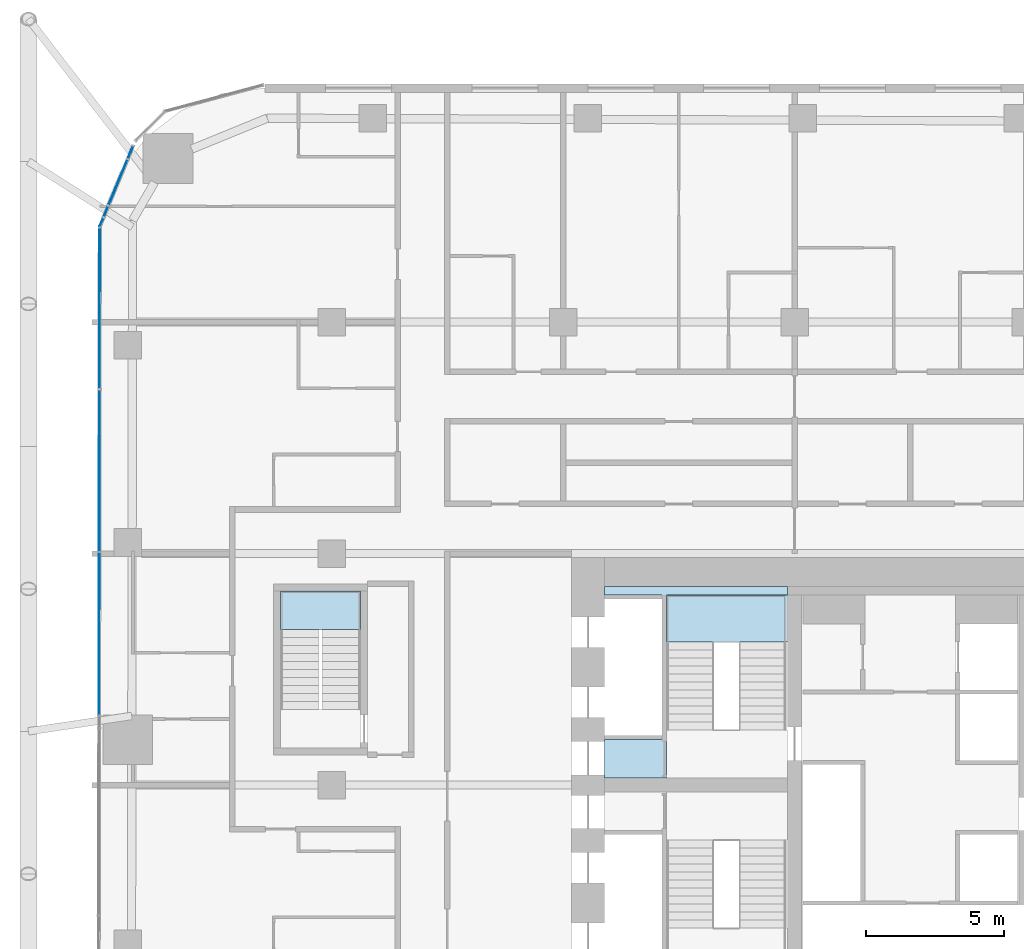
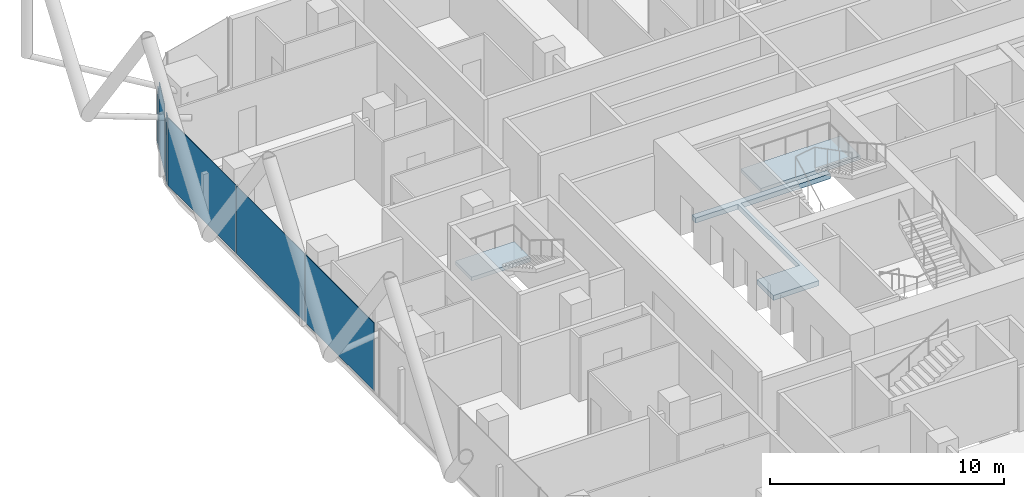
# One storey, part 25 of 38: 7 plates, 3 slabs, 7 elements without a shape of their own.
"""IFC4 building model written with IfcOpenShell, lengths in metres."""

from ifc_helpers import new_model, si_unit, direction, frame, origin, origin_2d, place, context, subcontext, project, spatial, polyline, rectangle, outline, extrude, material, layer, layer_set, type_object, element, aggregate, save


model = new_model("IFC4")

# Units and contexts
model_context = context("Model", 3, precision=1e-05, world=origin(), true_north=direction((0.0, 1.0)))
body_context = subcontext(model_context, "Body", "Model", "MODEL_VIEW")
ifc_project = project(units=[si_unit("LENGTHUNIT", "METRE"), si_unit("AREAUNIT", "SQUARE_METRE"), si_unit("VOLUMEUNIT", "CUBIC_METRE"), si_unit("PLANEANGLEUNIT", "RADIAN"), si_unit("MASSUNIT", "GRAM", prefix="KILO")], contexts=[model_context])

# Site, building, storey
site_placement = place(None, origin())
site = spatial("IfcSite", under=ifc_project, at=site_placement, CompositionType="ELEMENT")
building_placement = place(site_placement, origin())
building = spatial("IfcBuilding", under=site, at=building_placement, Name="Marenta Gate Hotel Tower", CompositionType="ELEMENT")
storey_placement = place(building_placement, frame((0.0, 0.0, 68.89990234375)))
storey = spatial("IfcBuildingStorey", under=building, at=storey_placement, Name="L15", CompositionType="ELEMENT", Elevation=68.89990234375)

# Slab
ifc_material_1 = material(Name="Concrete C40", Category="concrete")
ifc_layer_1 = layer(ifc_material_1, 0.260009765625)
ifc_layer_set_1 = layer_set([ifc_layer_1], Name="Concrete C40")
slab_type_1 = type_object("IfcSlabType", Name="Core floor slab 260", PredefinedType="FLOOR", material=ifc_layer_set_1)
slab_1_placement = place(storey_placement, frame((0.0, 0.0, -0.260009765625)))
element("IfcSlab", 1, at=slab_1_placement, inside=storey, type_object=slab_type_1, Name="L15-CF-6", PredefinedType="FLOOR", context=body_context, shape_type="SweptSolid", body=[
    extrude(outline(polyline([(-4.449951171875, 15.300048828125), (-8.85009765625, 15.300048828125), (-8.85009765625, 10.39990234375), (-8.85009765625, 8.699951171875), (-8.85009765625, 8.64990234375), (-11.10009765625, 8.64990234375), (-11.10009765625, 10.050048828125), (-9.0, 10.050048828125), (-9.0, 10.199951171875), (-9.0, 12.60009765625), (-9.0, 12.75), (-9.0, 15.14990234375), (-9.0, 15.300048828125), (-11.10009765625, 15.300048828125), (-11.10009765625, 15.60009765625), (-4.449951171875, 15.60009765625), (-4.449951171875, 15.300048828125)])), origin(), (0.0, 0.0, 1.0), 0.260009765625),
])

# Stair, slab
ifc_material_2 = material(Name="Concrete C40", Category="concrete")
stair_type_1 = type_object("IfcStairType", Name="Core exit stair 1700 wide", PredefinedType="HALF_TURN_STAIR", material=ifc_material_2)
stair_1_placement = place(storey_placement, origin())
stair_1 = element("IfcStair", 2, at=stair_1_placement, inside=storey, type_object=stair_type_1, Name="Exit stair 2", PredefinedType="HALF_TURN_STAIR")
ifc_material_3 = material(Name="Concrete C40", Category="concrete")
ifc_layer_2 = layer(ifc_material_3, 0.199951171875)
ifc_layer_set_2 = layer_set([ifc_layer_2], Name="Concrete C40")
slab_type_2 = type_object("IfcSlabType", Name="Core stair landing 200", PredefinedType="LANDING", material=ifc_layer_set_2)
slab_2_placement = place(storey_placement, frame((0.0, 0.0, 1.60009765625)))
slab_2 = element("IfcSlab", 3, at=slab_2_placement, type_object=slab_type_2, Name="SL-200 ST2 landing 1", PredefinedType="LANDING", context=body_context, shape_type="SweptSolid", body=[
    extrude(outline(polyline([(-8.85009765625, 13.590087890625), (-3.949951171875, 13.590087890625), (-3.949951171875, 15.300048828125), (-8.85009765625, 15.300048828125), (-8.85009765625, 13.590087890625)])), origin(), (0.0, 0.0, 1.0), 0.199951171875),
])
aggregate(stair_1, [slab_2])

# Curtain wall, plate
ifc_material_4 = material(Name="Tinted insulated glass in bronze anodised frame", Category="glass")
ifc_layer_3 = layer(ifc_material_4, 0.1201171875)
ifc_layer_set_3 = layer_set([ifc_layer_3], Name="Tinted insulated glass in bronze anodised frame")
curtain_wall_type = type_object("IfcCurtainWallType", Name="Tower unitised curtain wall CW1", PredefinedType="NOTDEFINED", material=ifc_layer_set_3)
curtain_wall_1_placement = place(storey_placement, origin())
curtain_wall_1 = element("IfcCurtainWall", 4, at=curtain_wall_1_placement, inside=storey, type_object=curtain_wall_type, Name="CW1 run G02", PredefinedType="NOTDEFINED")
ifc_material_5 = material(Name="Tinted insulated glass", Category="glass")
ifc_layer_4 = layer(ifc_material_5, 0.028076171875)
ifc_layer_set_4 = layer_set([ifc_layer_4], Name="Tinted insulated glass")
plate_type = type_object("IfcPlateType", Name="Glass panel CW1 28 mm tinted insulated unit", PredefinedType="CURTAIN_PANEL", material=ifc_layer_set_4)
plate_1_placement = place(storey_placement, frame((-28.29736328125, 31.35791015625, 0.060302734375), z_axis=(0.0, 0.0, 1.0), x_axis=(-0.382684306245, -0.923879170538, 0.0)))
plate_1 = element("IfcPlate", 5, at=plate_1_placement, type_object=plate_type, Name="CW1 panel 1.1", PredefinedType="CURTAIN_PANEL", context=body_context, shape_type="SweptSolid", body=[
    extrude(rectangle(XDim=0.46240234375, YDim=0.028076171875, at=origin_2d()), origin(), (0.0, 0.0, 1.0), 2.9404296875),
])
aggregate(curtain_wall_1, [plate_1])

curtain_wall_2_placement = place(storey_placement, origin())
curtain_wall_2 = element("IfcCurtainWall", 6, at=curtain_wall_2_placement, inside=storey, type_object=curtain_wall_type, Name="CW1 run G03", PredefinedType="NOTDEFINED")
plate_2_placement = place(storey_placement, frame((-28.7470703125, 30.272216796875, 0.06005859375), z_axis=(0.0, 0.0, 1.0), x_axis=(-0.382683619138, -0.923879455147, 0.0)))
plate_2 = element("IfcPlate", 7, at=plate_2_placement, type_object=plate_type, Name="CW1 panel 1.1", PredefinedType="CURTAIN_PANEL", context=body_context, shape_type="SweptSolid", body=[
    extrude(rectangle(XDim=1.767578125, YDim=0.028076171875, at=origin_2d()), origin(), (0.0, 0.0, 1.0), 3.5400390625),
])
aggregate(curtain_wall_2, [plate_2])

curtain_wall_3_placement = place(storey_placement, origin())
curtain_wall_3 = element("IfcCurtainWall", 8, at=curtain_wall_3_placement, inside=storey, type_object=curtain_wall_type, Name="CW1 run G04", PredefinedType="NOTDEFINED")
plate_3_placement = place(storey_placement, frame((-29.184814453125, 29.215576171875, 0.060302734375), z_axis=(0.0, 0.0, 1.0), x_axis=(-0.382838458625, -0.923815303293, 0.0)))
plate_3 = element("IfcPlate", 9, at=plate_3_placement, type_object=plate_type, Name="CW1 panel 1.1", PredefinedType="CURTAIN_PANEL", context=body_context, shape_type="SweptSolid", body=[
    extrude(rectangle(XDim=0.399658203125, YDim=0.028076171875, at=origin_2d()), origin(), (0.0, 0.0, 1.0), 2.9404296875),
])
aggregate(curtain_wall_3, [plate_3])

curtain_wall_4_placement = place(storey_placement, origin())
curtain_wall_4 = element("IfcCurtainWall", 10, at=curtain_wall_4_placement, inside=storey, type_object=curtain_wall_type, Name="CW1 run G05", PredefinedType="NOTDEFINED")
plate_4_placement = place(storey_placement, frame((-29.348388671875, 28.82080078125, 0.06005859375), z_axis=(0.0, 0.0, 1.0), x_axis=(-0.382456188848, -0.923973627119, 0.0)))
plate_4 = element("IfcPlate", 11, at=plate_4_placement, type_object=plate_type, Name="CW1 panel 1.1", PredefinedType="CURTAIN_PANEL", context=body_context, shape_type="SweptSolid", body=[
    extrude(rectangle(XDim=0.334716796875, YDim=0.028076171875, at=origin_2d()), origin(), (0.0, 0.0, 1.0), 3.5400390625),
])
aggregate(curtain_wall_4, [plate_4])

# Curtain wall, plates
curtain_wall_5_placement = place(storey_placement, origin())
curtain_wall_5 = element("IfcCurtainWall", 12, at=curtain_wall_5_placement, inside=storey, type_object=curtain_wall_type, Name="CW1 run G06", PredefinedType="NOTDEFINED")
plate_5_placement = place(storey_placement, frame((-29.4169921875, 25.7001953125, 0.06005859375), z_axis=(0.0, 0.0, 1.0), x_axis=(-0.001570149369, -0.999998767315, 0.0)))
plate_5 = element("IfcPlate", 13, at=plate_5_placement, type_object=plate_type, Name="CW1 panel 1.1", PredefinedType="CURTAIN_PANEL", context=body_context, shape_type="SweptSolid", body=[
    extrude(rectangle(XDim=5.811767578125, YDim=0.028076171875, at=origin_2d()), origin(), (0.0, 0.0, 1.0), 3.5400390625),
])
plate_6_placement = place(storey_placement, frame((-29.42626953125, 19.8134765625, 0.06005859375), z_axis=(0.0, 0.0, 1.0), x_axis=(-0.001570149369, -0.999998767315, 0.0)))
plate_6 = element("IfcPlate", 14, at=plate_6_placement, type_object=plate_type, Name="CW1 panel 2.1", PredefinedType="CURTAIN_PANEL", context=body_context, shape_type="SweptSolid", body=[
    extrude(rectangle(XDim=5.841796875, YDim=0.028076171875, at=origin_2d()), origin(), (0.0, 0.0, 1.0), 3.5400390625),
])
plate_7_placement = place(storey_placement, frame((-29.435546875, 13.896728515625, 0.06005859375), z_axis=(0.0, 0.0, 1.0), x_axis=(-0.001570149369, -0.999998767315, 0.0)))
plate_7 = element("IfcPlate", 15, at=plate_7_placement, type_object=plate_type, Name="CW1 panel 3.1", PredefinedType="CURTAIN_PANEL", context=body_context, shape_type="SweptSolid", body=[
    extrude(rectangle(XDim=5.871826171875, YDim=0.028076171875, at=origin_2d()), origin(), (0.0, 0.0, 1.0), 3.5400390625),
])
aggregate(curtain_wall_5, [plate_5, plate_6, plate_7])

# Stair, slab
ifc_material_6 = material(Name="Concrete C40", Category="concrete")
stair_type_2 = type_object("IfcStairType", Name="Remote exit stair 1400 wide", PredefinedType="HALF_TURN_STAIR", material=ifc_material_6)
stair_2_placement = place(storey_placement, origin())
stair_2 = element("IfcStair", 16, at=stair_2_placement, inside=storey, type_object=stair_type_2, Name="Exit stair RS-Z1-3", PredefinedType="HALF_TURN_STAIR")
ifc_material_7 = material(Name="Concrete C40", Category="concrete")
ifc_layer_5 = layer(ifc_material_7, 0.199951171875)
ifc_layer_set_5 = layer_set([ifc_layer_5], Name="Concrete C40")
slab_type_3 = type_object("IfcSlabType", Name="Remote stair landing 200", PredefinedType="LANDING", material=ifc_layer_set_5)
slab_3_placement = place(storey_placement, frame((0.0, 0.0, 1.60009765625)))
slab_3 = element("IfcSlab", 17, at=slab_3_placement, type_object=slab_type_3, Name="RL-200 RS-Z1-3 landing 1", PredefinedType="LANDING", context=body_context, shape_type="SweptSolid", body=[
    extrude(outline(polyline([(-22.85009765625, 14.050048828125), (-19.949951171875, 14.050048828125), (-19.949951171875, 15.449951171875), (-22.85009765625, 15.449951171875), (-22.85009765625, 14.050048828125)])), origin(), (0.0, 0.0, 1.0), 0.199951171875),
])
aggregate(stair_2, [slab_3])

save(model, "model.ifc")
